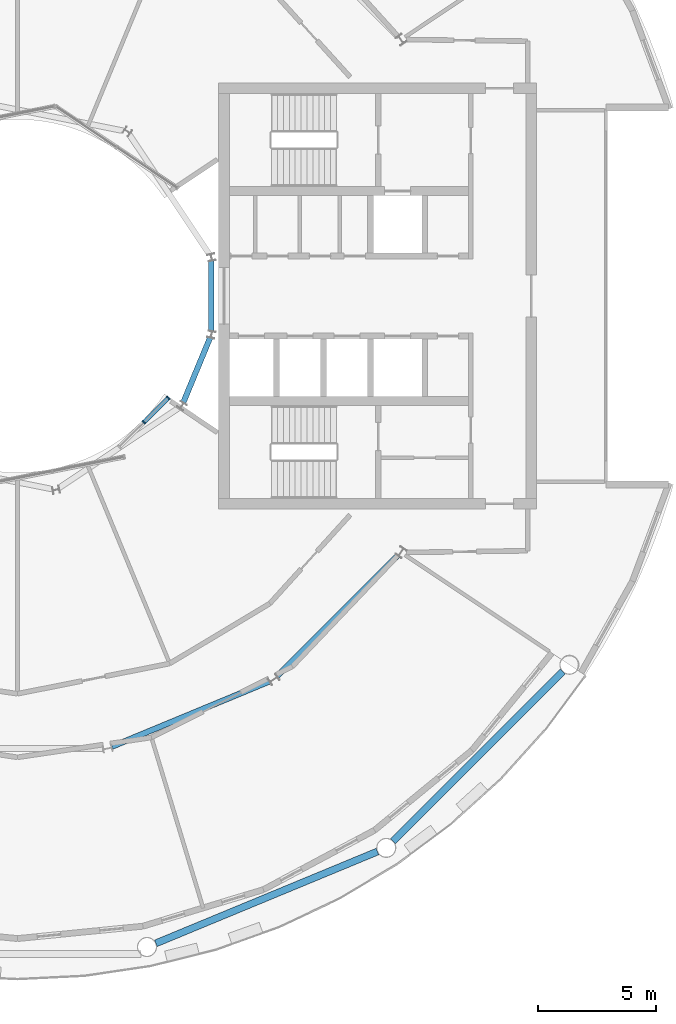
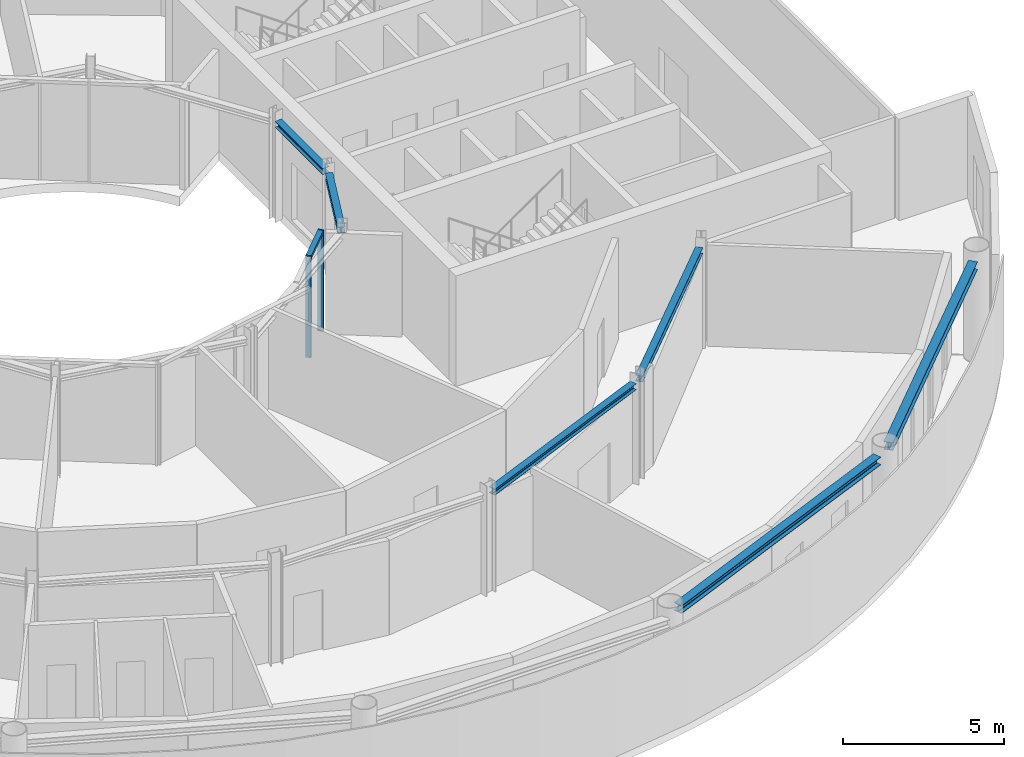
# One storey, part 8 of 22: 6 beams, 3 members, 1 element without a shape of its own.
"""IFC4 building model written with IfcOpenShell, lengths in metres."""

from ifc_helpers import new_model, si_unit, direction, frame, origin, origin_2d, place, context, subcontext, project, spatial, rectangle, i_section, extrude, material, layer, layer_set, material_profile, profile_set, type_object, element, aggregate, save


model = new_model("IFC4")

# Units and contexts
model_context = context("Model", 3, precision=1e-05, world=origin(), true_north=direction((0.0, 1.0)))
body_context = subcontext(model_context, "Body", "Model", "MODEL_VIEW")
ifc_project = project(units=[si_unit("LENGTHUNIT", "METRE"), si_unit("AREAUNIT", "SQUARE_METRE"), si_unit("VOLUMEUNIT", "CUBIC_METRE"), si_unit("PLANEANGLEUNIT", "RADIAN"), si_unit("MASSUNIT", "GRAM", prefix="KILO")], contexts=[model_context])

# Site, building, storey
site_placement = place(None, origin())
site = spatial("IfcSite", under=ifc_project, at=site_placement, CompositionType="ELEMENT")
building_placement = place(site_placement, origin())
building = spatial("IfcBuilding", under=site, at=building_placement, Name="Maasbend Ring Residences", CompositionType="ELEMENT")
storey_placement = place(building_placement, frame((0.0, 0.0, 208.5)))
storey = spatial("IfcBuildingStorey", under=building, at=storey_placement, Name="L60", CompositionType="ELEMENT", Elevation=208.5)

# Curtain wall, members
ifc_material_1 = material(Name="Aluminium and clear glass", Category="aluminium")
ifc_layer = layer(ifc_material_1, 0.179931640625)
ifc_layer_set = layer_set([ifc_layer], Name="CW-W")
curtain_wall_type = type_object("IfcCurtainWallType", Name="CW-W", PredefinedType="NOTDEFINED", material=ifc_layer_set)
curtain_wall_placement = place(storey_placement, origin())
curtain_wall = element("IfcCurtainWall", 1, at=curtain_wall_placement, inside=storey, type_object=curtain_wall_type, Name="Well curtain wall S3", PredefinedType="NOTDEFINED")
ifc_material_2 = material(Name="Aluminium 6063-T6", Category="aluminium")
ifc_material_profile_1 = material_profile(ifc_material_2, rectangle(XDim=0.179931640625, YDim=0.06005859375, at=origin_2d()), Name="AL 180x60")
ifc_profile_set_1 = profile_set([ifc_material_profile_1], Name="Aluminium 6063-T6")
member_type_1 = type_object("IfcMemberType", Name="CWM-W", PredefinedType="MULLION", material=ifc_profile_set_1)
member_1_placement = place(storey_placement, frame((5.366943359375, -5.366943359375, 0.0), z_axis=(0.0, 0.0, 1.0), x_axis=(-0.707106781187, 0.707106781187, 0.0)))
member_1 = element("IfcMember", 2, at=member_1_placement, type_object=member_type_1, Name="Mullion well face", PredefinedType="MULLION", context=body_context, shape_type="SweptSolid", body=[
    extrude(rectangle(XDim=0.179931640625, YDim=0.06005859375, at=origin_2d()), origin(), (0.0, 0.0, 1.0), 3.85009765625),
])
member_2_placement = place(storey_placement, frame((6.413330078125, -4.320556640625, 0.0), z_axis=(0.0, 0.0, 1.0), x_axis=(-0.707106781187, 0.707106781187, 0.0)))
member_2 = element("IfcMember", 3, at=member_2_placement, type_object=member_type_1, Name="Mullion well face", PredefinedType="MULLION", context=body_context, shape_type="SweptSolid", body=[
    extrude(rectangle(XDim=0.179931640625, YDim=0.06005859375, at=origin_2d()), origin(), (0.0, 0.0, 1.0), 3.85009765625),
])
ifc_material_3 = material(Name="Aluminium 6063-T6", Category="aluminium")
ifc_material_profile_2 = material_profile(ifc_material_3, rectangle(XDim=0.179931640625, YDim=0.1201171875, at=origin_2d()), Name="AL 180x120")
ifc_profile_set_2 = profile_set([ifc_material_profile_2], Name="Aluminium 6063-T6")
member_type_2 = type_object("IfcMemberType", Name="CWT-W", PredefinedType="USERDEFINED", material=ifc_profile_set_2)
member_3_placement = place(storey_placement, frame((5.38818359375, -5.345703125, 3.7900390625), z_axis=(0.707106781187, 0.707106781187, 0.0), x_axis=(-0.707106781187, 0.707106781187, 0.0)))
member_3 = element("IfcMember", 4, at=member_3_placement, type_object=member_type_2, Name="Transom well face", ObjectType="TRANSOM", PredefinedType="USERDEFINED", context=body_context, shape_type="SweptSolid", body=[
    extrude(rectangle(XDim=0.179931640625, YDim=0.1201171875, at=origin_2d()), origin(), (0.0, 0.0, 1.0), 1.419677734375),
])
aggregate(curtain_wall, [member_1, member_2, member_3])

# Beams
ifc_material_4 = material(Name="Steel S355J2", Category="steel")
ifc_material_profile_3 = material_profile(ifc_material_4, i_section(OverallWidth=0.239990234375, OverallDepth=0.22998046875, WebThickness=0.007568359375, FlangeThickness=0.011962890625, FilletRadius=0.02099609375, at=origin_2d()), Name="HEA 240")
ifc_profile_set_3 = profile_set([ifc_material_profile_3], Name="Steel S355J2")
beam_type_1 = type_object("IfcBeamType", Name="Corridor ring beam HEA 240", PredefinedType="BEAM", material=ifc_profile_set_3)
beam_1_placement = place(storey_placement, frame((4.01220703125, -19.1455078125, 3.735107421875), z_axis=(0.923865162022, 0.382718123952, 0.0), x_axis=(-0.382718123952, 0.923865162022, 0.0)))
element("IfcBeam", 5, at=beam_1_placement, inside=storey, type_object=beam_type_1, Name="Corridor ring beam", PredefinedType="BEAM", context=body_context, shape_type="SweptSolid", body=[
    extrude(i_section(OverallWidth=0.239990234375, OverallDepth=0.22998046875, WebThickness=0.007568359375, FlangeThickness=0.011962890625, FilletRadius=0.02099609375, at=origin_2d()), origin(), (0.0, 0.0, 1.0), 7.23974609375),
])
beam_2_placement = place(storey_placement, frame((11.033447265625, -16.152587890625, 3.735107421875), z_axis=(0.707106781187, 0.707106781187, 0.0), x_axis=(-0.707106781187, 0.707106781187, 0.0)))
element("IfcBeam", 6, at=beam_2_placement, inside=storey, type_object=beam_type_1, Name="Corridor ring beam", PredefinedType="BEAM", context=body_context, shape_type="SweptSolid", body=[
    extrude(i_section(OverallWidth=0.239990234375, OverallDepth=0.22998046875, WebThickness=0.007568359375, FlangeThickness=0.011962890625, FilletRadius=0.02099609375, at=origin_2d()), origin(), (0.0, 0.0, 1.0), 7.239501953125),
])
ifc_material_5 = material(Name="Steel S355J2", Category="steel")
ifc_material_profile_4 = material_profile(ifc_material_5, i_section(OverallWidth=0.300048828125, OverallDepth=0.300048828125, WebThickness=0.010986328125, FlangeThickness=0.01904296875, FilletRadius=0.027099609375, at=origin_2d()), Name="HEB 300")
ifc_profile_set_4 = profile_set([ifc_material_profile_4], Name="Steel S355J2")
beam_type_2 = type_object("IfcBeamType", Name="Spandrel ring beam HEB 300", PredefinedType="SPANDREL", material=ifc_profile_set_4)
for number, where, z_axis, x_axis, name in (
    (7, (5.877197265625, -27.50244140625, 3.699951171875), (0.923883676188, 0.382673428492, 0.0), (-0.382673428492, 0.923883676188, 0.0), "Spandrel ring beam"),
    (8, (15.95458984375, -23.159912109375, 3.699951171875), (0.707106781187, 0.707106781187, 0.0), (-0.707106781187, 0.707106781187, 0.0), "Spandrel ring beam"),
):
    element("IfcBeam", number, at=place(storey_placement, frame(where, z_axis=z_axis, x_axis=x_axis)), inside=storey, type_object=beam_type_2, Name=name, PredefinedType="SPANDREL", context=body_context, shape_type="SweptSolid", body=[
        extrude(i_section(OverallWidth=0.300048828125, OverallDepth=0.300048828125, WebThickness=0.010986328125, FlangeThickness=0.01904296875, FilletRadius=0.027099609375, at=origin_2d()), origin(), (0.0, 0.0, 1.0), 10.18994140625),
    ])
ifc_material_6 = material(Name="Steel S355J2", Category="steel")
ifc_material_profile_5 = material_profile(ifc_material_6, i_section(OverallWidth=0.239990234375, OverallDepth=0.22998046875, WebThickness=0.007568359375, FlangeThickness=0.011962890625, FilletRadius=0.02099609375, at=origin_2d()), Name="HEA 240")
ifc_profile_set_5 = profile_set([ifc_material_profile_5], Name="Steel S355J2")
beam_type_3 = type_object("IfcBeamType", Name="Well edge beam HEA 240", PredefinedType="BEAM", material=ifc_profile_set_5)
beam_3_placement = place(storey_placement, frame((7.041015625, -4.5302734375, 3.735107421875), z_axis=(0.382614534057, 0.923908068115, 0.0), x_axis=(-0.923908068115, 0.382614534057, 0.0)))
element("IfcBeam", 9, at=beam_3_placement, inside=storey, type_object=beam_type_3, Name="Well edge beam", PredefinedType="BEAM", context=body_context, shape_type="SweptSolid", body=[
    extrude(i_section(OverallWidth=0.239990234375, OverallDepth=0.22998046875, WebThickness=0.007568359375, FlangeThickness=0.011962890625, FilletRadius=0.02099609375, at=origin_2d()), origin(), (0.0, 0.0, 1.0), 2.981689453125),
])
beam_4_placement = place(storey_placement, frame((8.238525390625, -1.490966796875, 3.735107421875), z_axis=(0.0, 1.0, 0.0), x_axis=(-1.0, 0.0, 0.0)))
element("IfcBeam", 10, at=beam_4_placement, inside=storey, type_object=beam_type_3, Name="Well edge beam", PredefinedType="BEAM", context=body_context, shape_type="SweptSolid", body=[
    extrude(i_section(OverallWidth=0.239990234375, OverallDepth=0.22998046875, WebThickness=0.007568359375, FlangeThickness=0.011962890625, FilletRadius=0.02099609375, at=origin_2d()), origin(), (0.0, 0.0, 1.0), 2.98193359375),
])

save(model, "model.ifc")
